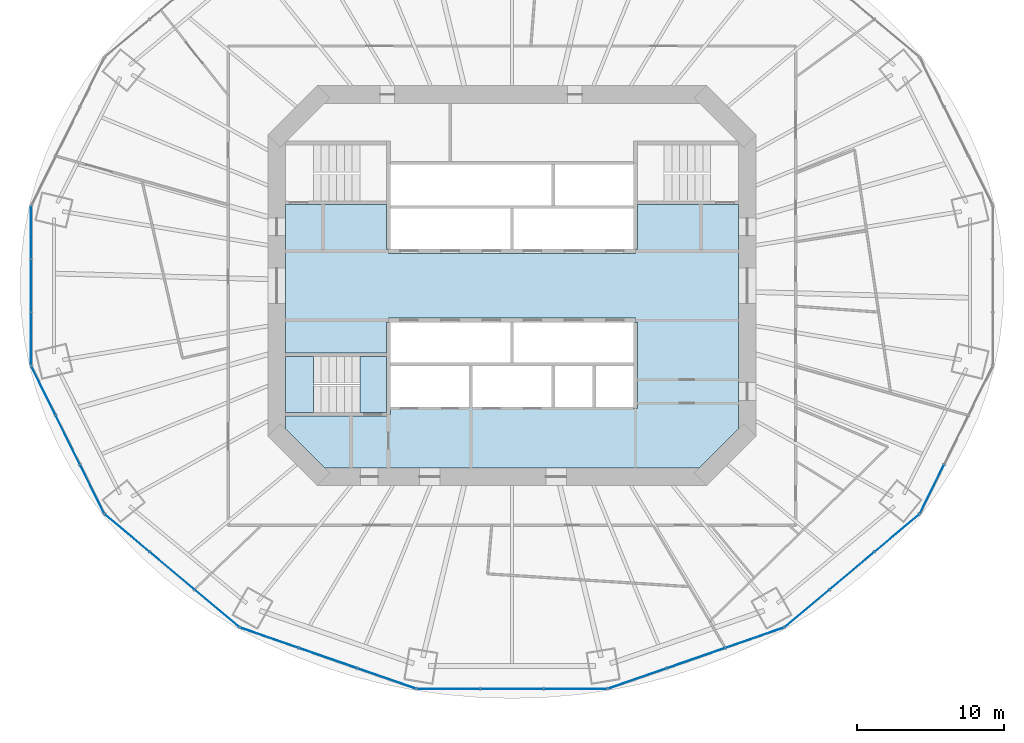
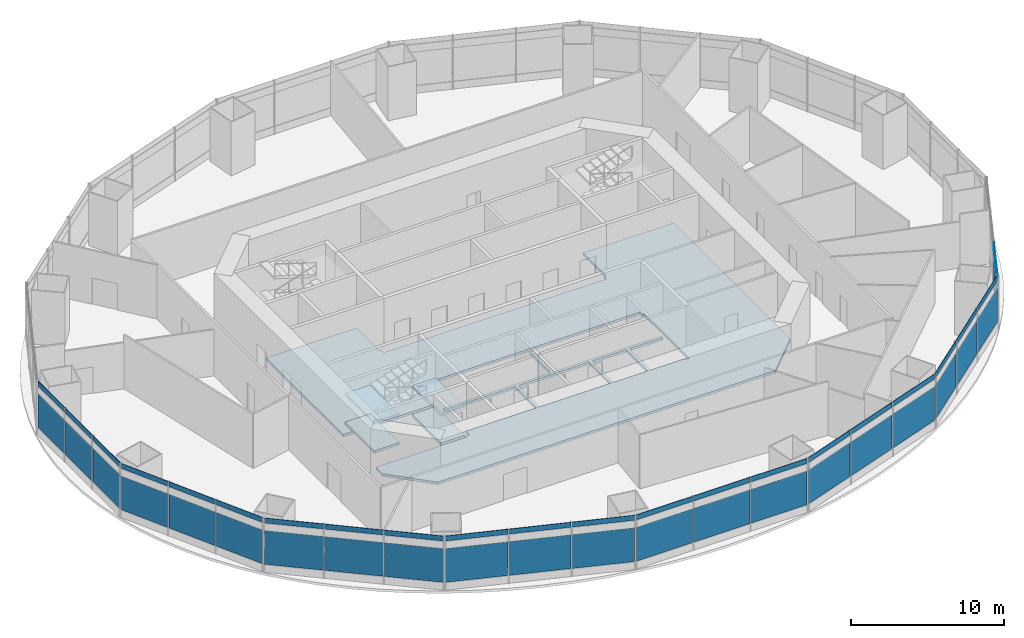
# One storey, part 11 of 17: 44 plates, 5 slabs, 17 elements without a shape of their own.
"""IFC4 building model written with IfcOpenShell, lengths in metres."""

from ifc_helpers import new_model, si_unit, direction, frame, origin, origin_2d, place, context, subcontext, project, spatial, polyline, rectangle, outline, extrude, material, layer, layer_set, type_object, element, aggregate, save


model = new_model("IFC4")

# Units and contexts
model_context = context("Model", 3, precision=1e-05, world=origin(), true_north=direction((0.0, 1.0)))
body_context = subcontext(model_context, "Body", "Model", "MODEL_VIEW")
ifc_project = project(units=[si_unit("LENGTHUNIT", "METRE"), si_unit("AREAUNIT", "SQUARE_METRE"), si_unit("VOLUMEUNIT", "CUBIC_METRE"), si_unit("PLANEANGLEUNIT", "RADIAN"), si_unit("MASSUNIT", "GRAM", prefix="KILO")], contexts=[model_context])

# Site, building, storey
site_placement = place(None, origin())
site = spatial("IfcSite", under=ifc_project, at=site_placement, CompositionType="ELEMENT")
building_placement = place(site_placement, origin())
building = spatial("IfcBuilding", under=site, at=building_placement, Name="Marenthal Gate Tower", CompositionType="ELEMENT")
storey_placement = place(building_placement, frame((0.0, 0.0, 145.050048828125)))
storey = spatial("IfcBuildingStorey", under=building, at=storey_placement, Name="L31", CompositionType="ELEMENT", Elevation=145.050048828125)

# Slabs
ifc_material_1 = material(Name="Concrete 50 MPa", Category="concrete")
ifc_layer_1 = layer(ifc_material_1, 0.199951171875)
ifc_layer_set_1 = layer_set([ifc_layer_1], Name="Core floor slab 200")
slab_type_1 = type_object("IfcSlabType", Name="Core floor slab 200", PredefinedType="FLOOR", material=ifc_layer_set_1)
slab_1_placement = place(storey_placement, frame((0.0, 0.0, -0.199951171875)))
element("IfcSlab", 1, at=slab_1_placement, inside=storey, type_object=slab_type_1, Name="Core floor L31", PredefinedType="FLOOR", context=body_context, shape_type="SweptSolid", body=[
    extrude(outline(polyline([(15.39990234375, -9.75146484375), (12.75146484375, -12.39990234375), (-12.75146484375, -12.39990234375), (-15.39990234375, -9.75146484375), (-15.39990234375, -8.875), (-8.550048828125, -8.875), (-8.550048828125, -8.75), (-8.25, -8.75), (-8.25, -8.239990234375), (-5.60009765625, -8.239990234375), (-2.909912109375, -8.239990234375), (-2.909912109375, -5.4599609375), (-5.60009765625, -5.4599609375), (-8.25, -5.4599609375), (-8.25, -5.239990234375), (-5.60009765625, -5.239990234375), (-2.800048828125, -5.239990234375), (-0.110107421875, -5.239990234375), (-0.110107421875, -2.5), (0.110107421875, -2.5), (0.110107421875, -5.239990234375), (2.800048828125, -5.239990234375), (5.60009765625, -5.239990234375), (8.25, -5.239990234375), (8.25, -5.4599609375), (5.7099609375, -5.4599609375), (5.7099609375, -8.239990234375), (8.25, -8.239990234375), (8.25, -8.35009765625), (8.550048828125, -8.35009765625), (8.550048828125, -2.5), (8.39990234375, -2.5), (8.39990234375, -2.199951171875), (-8.39990234375, -2.199951171875), (-8.39990234375, -2.5), (-8.550048828125, -2.5), (-8.550048828125, -4.574951171875), (-15.39990234375, -4.574951171875), (-15.39990234375, 5.52490234375), (-8.550048828125, 5.52490234375), (-8.550048828125, 2.5), (-8.39990234375, 2.5), (-8.39990234375, 2.199951171875), (8.39990234375, 2.199951171875), (8.39990234375, 2.5), (8.550048828125, 2.5), (8.550048828125, 5.52490234375), (15.39990234375, 5.52490234375), (15.39990234375, -9.75146484375)]), holes=[polyline([(2.68994140625, -5.4599609375), (0.0, -5.4599609375), (-2.68994140625, -5.4599609375), (-2.68994140625, -8.239990234375), (0.0, -8.239990234375), (2.68994140625, -8.239990234375), (2.68994140625, -5.4599609375)]), polyline([(5.489990234375, -5.4599609375), (2.909912109375, -5.4599609375), (2.909912109375, -8.239990234375), (5.489990234375, -8.239990234375), (5.489990234375, -5.4599609375)])]), origin(), (0.0, 0.0, 1.0), 0.199951171875),
])
slab_2_placement = place(storey_placement, frame((0.0, 0.0, -0.199951171875)))
element("IfcSlab", 2, at=slab_2_placement, inside=storey, type_object=slab_type_1, Name="Core floor L31", PredefinedType="FLOOR", context=body_context, shape_type="SweptSolid", body=[
    extrude(outline(polyline([(-8.550048828125, -8.625), (-10.35009765625, -8.625), (-10.35009765625, -4.824951171875), (-8.550048828125, -4.824951171875), (-8.550048828125, -8.625)])), origin(), (0.0, 0.0, 1.0), 0.199951171875),
])

# Curtain wall, plates
ifc_material_2 = material(Name="Aluminium and glass", Category="aluminium")
curtain_wall_type_1 = type_object("IfcCurtainWallType", Name="Curtain wall amenity", PredefinedType="NOTDEFINED", material=ifc_material_2)
curtain_wall_1_placement = place(storey_placement, origin())
curtain_wall_1 = element("IfcCurtainWall", 3, at=curtain_wall_1_placement, inside=storey, type_object=curtain_wall_type_1, Name="Curtain wall L31 bay 8", PredefinedType="NOTDEFINED")
ifc_material_3 = material(Name="Glass, laminated insulating unit", Category="glass")
ifc_layer_2 = layer(ifc_material_3, 0.031982421875)
ifc_layer_set_2 = layer_set([ifc_layer_2], Name="Glass panel 32 amenity")
plate_type_1 = type_object("IfcPlateType", Name="Glass panel 32 amenity", PredefinedType="CURTAIN_PANEL", material=ifc_layer_set_2)
plate_1_placement = place(storey_placement, frame((-32.701416015625, 3.615966796875, 0.60009765625), z_axis=(0.0, 0.0, 1.0), x_axis=(0.0, -1.0, 0.0)))
plate_1 = element("IfcPlate", 4, at=plate_1_placement, type_object=plate_type_1, Name="Glass panel L31 bay 8.1", PredefinedType="CURTAIN_PANEL", context=body_context, shape_type="SweptSolid", body=[
    extrude(rectangle(XDim=3.55615234375, YDim=0.031982421875, at=origin_2d()), origin(), (0.0, 0.0, 1.0), 2.699951171875),
])
plate_2_placement = place(storey_placement, frame((-32.701416015625, 0.0, 0.60009765625), z_axis=(0.0, 0.0, 1.0), x_axis=(0.0, -1.0, 0.0)))
plate_2 = element("IfcPlate", 5, at=plate_2_placement, type_object=plate_type_1, Name="Glass panel L31 bay 8.2", PredefinedType="CURTAIN_PANEL", context=body_context, shape_type="SweptSolid", body=[
    extrude(rectangle(XDim=3.555908203125, YDim=0.031982421875, at=origin_2d()), origin(), (0.0, 0.0, 1.0), 2.699951171875),
])
plate_3_placement = place(storey_placement, frame((-32.701416015625, -3.615966796875, 0.60009765625), z_axis=(0.0, 0.0, 1.0), x_axis=(0.0, -1.0, 0.0)))
plate_3 = element("IfcPlate", 6, at=plate_3_placement, type_object=plate_type_1, Name="Glass panel L31 bay 8.3", PredefinedType="CURTAIN_PANEL", context=body_context, shape_type="SweptSolid", body=[
    extrude(rectangle(XDim=3.55615234375, YDim=0.031982421875, at=origin_2d()), origin(), (0.0, 0.0, 1.0), 2.699951171875),
])
aggregate(curtain_wall_1, [plate_1, plate_2, plate_3])

curtain_wall_2_placement = place(storey_placement, origin())
curtain_wall_2 = element("IfcCurtainWall", 7, at=curtain_wall_2_placement, inside=storey, type_object=curtain_wall_type_1, Name="Curtain wall L31 bay 9", PredefinedType="NOTDEFINED")
plate_4_placement = place(storey_placement, frame((-31.86279296875, -7.151611328125, 0.60009765625), z_axis=(0.0, 0.0, 1.0), x_axis=(0.442895449987, -0.896573265484, 0.0)))
plate_4 = element("IfcPlate", 8, at=plate_4_placement, type_object=plate_type_1, Name="Glass panel L31 bay 9.1", PredefinedType="CURTAIN_PANEL", context=body_context, shape_type="SweptSolid", body=[
    extrude(rectangle(XDim=3.6669921875, YDim=0.031982421875, at=origin_2d()), origin(), (0.0, 0.0, 1.0), 2.699951171875),
])
plate_5_placement = place(storey_placement, frame((-30.212158203125, -10.4931640625, 0.60009765625), z_axis=(0.0, 0.0, 1.0), x_axis=(0.442895449987, -0.896573265484, 0.0)))
plate_5 = element("IfcPlate", 9, at=plate_5_placement, type_object=plate_type_1, Name="Glass panel L31 bay 9.2", PredefinedType="CURTAIN_PANEL", context=body_context, shape_type="SweptSolid", body=[
    extrude(rectangle(XDim=3.666748046875, YDim=0.031982421875, at=origin_2d()), origin(), (0.0, 0.0, 1.0), 2.699951171875),
])
plate_6_placement = place(storey_placement, frame((-28.5615234375, -13.83447265625, 0.60009765625), z_axis=(0.0, 0.0, 1.0), x_axis=(0.442895449987, -0.896573265484, 0.0)))
plate_6 = element("IfcPlate", 10, at=plate_6_placement, type_object=plate_type_1, Name="Glass panel L31 bay 9.3", PredefinedType="CURTAIN_PANEL", context=body_context, shape_type="SweptSolid", body=[
    extrude(rectangle(XDim=3.6669921875, YDim=0.031982421875, at=origin_2d()), origin(), (0.0, 0.0, 1.0), 2.699951171875),
])
aggregate(curtain_wall_2, [plate_4, plate_5, plate_6])

curtain_wall_3_placement = place(storey_placement, origin())
curtain_wall_3 = element("IfcCurtainWall", 11, at=curtain_wall_3_placement, inside=storey, type_object=curtain_wall_type_1, Name="Curtain wall L31 bay 10", PredefinedType="NOTDEFINED")
plate_7_placement = place(storey_placement, frame((-26.17431640625, -16.83056640625, 0.60009765625), z_axis=(0.0, 0.0, 1.0), x_axis=(0.766276606305, -0.642510826857, 0.0)))
plate_7 = element("IfcPlate", 12, at=plate_7_placement, type_object=plate_type_1, Name="Glass panel L31 bay 10.1", PredefinedType="CURTAIN_PANEL", context=body_context, shape_type="SweptSolid", body=[
    extrude(rectangle(XDim=3.921630859375, YDim=0.031982421875, at=origin_2d()), origin(), (0.0, 0.0, 1.0), 2.699951171875),
])
plate_8_placement = place(storey_placement, frame((-23.123291015625, -19.388671875, 0.60009765625), z_axis=(0.0, 0.0, 1.0), x_axis=(0.766276606305, -0.642510826857, 0.0)))
plate_8 = element("IfcPlate", 13, at=plate_8_placement, type_object=plate_type_1, Name="Glass panel L31 bay 10.2", PredefinedType="CURTAIN_PANEL", context=body_context, shape_type="SweptSolid", body=[
    extrude(rectangle(XDim=3.921630859375, YDim=0.031982421875, at=origin_2d()), origin(), (0.0, 0.0, 1.0), 2.699951171875),
])
plate_9_placement = place(storey_placement, frame((-20.072265625, -21.947021484375, 0.60009765625), z_axis=(0.0, 0.0, 1.0), x_axis=(0.766276606305, -0.642510826857, 0.0)))
plate_9 = element("IfcPlate", 14, at=plate_9_placement, type_object=plate_type_1, Name="Glass panel L31 bay 10.3", PredefinedType="CURTAIN_PANEL", context=body_context, shape_type="SweptSolid", body=[
    extrude(rectangle(XDim=3.921630859375, YDim=0.031982421875, at=origin_2d()), origin(), (0.0, 0.0, 1.0), 2.699951171875),
])
aggregate(curtain_wall_3, [plate_7, plate_8, plate_9])

curtain_wall_4_placement = place(storey_placement, origin())
curtain_wall_4 = element("IfcCurtainWall", 15, at=curtain_wall_4_placement, inside=storey, type_object=curtain_wall_type_1, Name="Curtain wall L31 bay 11", PredefinedType="NOTDEFINED")
plate_10_placement = place(storey_placement, frame((-16.501708984375, -23.94775390625, 0.60009765625), z_axis=(0.0, 0.0, 1.0), x_axis=(0.944646837951, -0.328088938475, 0.0)))
plate_10 = element("IfcPlate", 16, at=plate_10_placement, type_object=plate_type_1, Name="Glass panel L31 bay 11.1", PredefinedType="CURTAIN_PANEL", context=body_context, shape_type="SweptSolid", body=[
    extrude(rectangle(XDim=4.1611328125, YDim=0.031982421875, at=origin_2d()), origin(), (0.0, 0.0, 1.0), 2.699951171875),
])
plate_11_placement = place(storey_placement, frame((-12.51416015625, -25.33251953125, 0.60009765625), z_axis=(0.0, 0.0, 1.0), x_axis=(0.944646837951, -0.328088938475, 0.0)))
plate_11 = element("IfcPlate", 17, at=plate_11_placement, type_object=plate_type_1, Name="Glass panel L31 bay 11.2", PredefinedType="CURTAIN_PANEL", context=body_context, shape_type="SweptSolid", body=[
    extrude(rectangle(XDim=4.1611328125, YDim=0.031982421875, at=origin_2d()), origin(), (0.0, 0.0, 1.0), 2.699951171875),
])
plate_12_placement = place(storey_placement, frame((-8.52685546875, -26.717529296875, 0.60009765625), z_axis=(0.0, 0.0, 1.0), x_axis=(0.944646837951, -0.328088938475, 0.0)))
plate_12 = element("IfcPlate", 18, at=plate_12_placement, type_object=plate_type_1, Name="Glass panel L31 bay 11.3", PredefinedType="CURTAIN_PANEL", context=body_context, shape_type="SweptSolid", body=[
    extrude(rectangle(XDim=4.1611328125, YDim=0.031982421875, at=origin_2d()), origin(), (0.0, 0.0, 1.0), 2.699951171875),
])
aggregate(curtain_wall_4, [plate_10, plate_11, plate_12])

curtain_wall_5_placement = place(storey_placement, origin())
curtain_wall_5 = element("IfcCurtainWall", 19, at=curtain_wall_5_placement, inside=storey, type_object=curtain_wall_type_1, Name="Curtain wall L31 bay 12", PredefinedType="NOTDEFINED")
plate_13_placement = place(storey_placement, frame((-4.31640625, -27.419921875, 0.60009765625), z_axis=(0.0, 0.0, 1.0), x_axis=(1.0, 0.0, 0.0)))
plate_13 = element("IfcPlate", 20, at=plate_13_placement, type_object=plate_type_1, Name="Glass panel L31 bay 12.1", PredefinedType="CURTAIN_PANEL", context=body_context, shape_type="SweptSolid", body=[
    extrude(rectangle(XDim=4.256591796875, YDim=0.031982421875, at=origin_2d()), origin(), (0.0, 0.0, 1.0), 2.699951171875),
])
plate_14_placement = place(storey_placement, frame((0.0, -27.419921875, 0.60009765625), z_axis=(0.0, 0.0, 1.0), x_axis=(1.0, 0.0, 0.0)))
plate_14 = element("IfcPlate", 21, at=plate_14_placement, type_object=plate_type_1, Name="Glass panel L31 bay 12.2", PredefinedType="CURTAIN_PANEL", context=body_context, shape_type="SweptSolid", body=[
    extrude(rectangle(XDim=4.25634765625, YDim=0.031982421875, at=origin_2d()), origin(), (0.0, 0.0, 1.0), 2.699951171875),
])
plate_15_placement = place(storey_placement, frame((4.31640625, -27.419921875, 0.60009765625), z_axis=(0.0, 0.0, 1.0), x_axis=(1.0, 0.0, 0.0)))
plate_15 = element("IfcPlate", 22, at=plate_15_placement, type_object=plate_type_1, Name="Glass panel L31 bay 12.3", PredefinedType="CURTAIN_PANEL", context=body_context, shape_type="SweptSolid", body=[
    extrude(rectangle(XDim=4.256591796875, YDim=0.031982421875, at=origin_2d()), origin(), (0.0, 0.0, 1.0), 2.699951171875),
])
aggregate(curtain_wall_5, [plate_13, plate_14, plate_15])

curtain_wall_6_placement = place(storey_placement, origin())
curtain_wall_6 = element("IfcCurtainWall", 23, at=curtain_wall_6_placement, inside=storey, type_object=curtain_wall_type_1, Name="Curtain wall L31 bay 13", PredefinedType="NOTDEFINED")
plate_16_placement = place(storey_placement, frame((8.52685546875, -26.717529296875, 0.60009765625), z_axis=(0.0, 0.0, 1.0), x_axis=(0.944646837951, 0.328088938475, 0.0)))
plate_16 = element("IfcPlate", 24, at=plate_16_placement, type_object=plate_type_1, Name="Glass panel L31 bay 13.1", PredefinedType="CURTAIN_PANEL", context=body_context, shape_type="SweptSolid", body=[
    extrude(rectangle(XDim=4.1611328125, YDim=0.031982421875, at=origin_2d()), origin(), (0.0, 0.0, 1.0), 2.699951171875),
])
plate_17_placement = place(storey_placement, frame((12.51416015625, -25.33251953125, 0.60009765625), z_axis=(0.0, 0.0, 1.0), x_axis=(0.944646837951, 0.328088938475, 0.0)))
plate_17 = element("IfcPlate", 25, at=plate_17_placement, type_object=plate_type_1, Name="Glass panel L31 bay 13.2", PredefinedType="CURTAIN_PANEL", context=body_context, shape_type="SweptSolid", body=[
    extrude(rectangle(XDim=4.1611328125, YDim=0.031982421875, at=origin_2d()), origin(), (0.0, 0.0, 1.0), 2.699951171875),
])
plate_18_placement = place(storey_placement, frame((16.501708984375, -23.94775390625, 0.60009765625), z_axis=(0.0, 0.0, 1.0), x_axis=(0.944646837951, 0.328088938475, 0.0)))
plate_18 = element("IfcPlate", 26, at=plate_18_placement, type_object=plate_type_1, Name="Glass panel L31 bay 13.3", PredefinedType="CURTAIN_PANEL", context=body_context, shape_type="SweptSolid", body=[
    extrude(rectangle(XDim=4.1611328125, YDim=0.031982421875, at=origin_2d()), origin(), (0.0, 0.0, 1.0), 2.699951171875),
])
aggregate(curtain_wall_6, [plate_16, plate_17, plate_18])

curtain_wall_7_placement = place(storey_placement, origin())
curtain_wall_7 = element("IfcCurtainWall", 27, at=curtain_wall_7_placement, inside=storey, type_object=curtain_wall_type_1, Name="Curtain wall L31 bay 14", PredefinedType="NOTDEFINED")
plate_19_placement = place(storey_placement, frame((20.072265625, -21.947021484375, 0.60009765625), z_axis=(0.0, 0.0, 1.0), x_axis=(0.766276606305, 0.642510826857, 0.0)))
plate_19 = element("IfcPlate", 28, at=plate_19_placement, type_object=plate_type_1, Name="Glass panel L31 bay 14.1", PredefinedType="CURTAIN_PANEL", context=body_context, shape_type="SweptSolid", body=[
    extrude(rectangle(XDim=3.921630859375, YDim=0.031982421875, at=origin_2d()), origin(), (0.0, 0.0, 1.0), 2.699951171875),
])
plate_20_placement = place(storey_placement, frame((23.123291015625, -19.388671875, 0.60009765625), z_axis=(0.0, 0.0, 1.0), x_axis=(0.766276606305, 0.642510826857, 0.0)))
plate_20 = element("IfcPlate", 29, at=plate_20_placement, type_object=plate_type_1, Name="Glass panel L31 bay 14.2", PredefinedType="CURTAIN_PANEL", context=body_context, shape_type="SweptSolid", body=[
    extrude(rectangle(XDim=3.921630859375, YDim=0.031982421875, at=origin_2d()), origin(), (0.0, 0.0, 1.0), 2.699951171875),
])
plate_21_placement = place(storey_placement, frame((26.17431640625, -16.83056640625, 0.60009765625), z_axis=(0.0, 0.0, 1.0), x_axis=(0.766276606305, 0.642510826857, 0.0)))
plate_21 = element("IfcPlate", 30, at=plate_21_placement, type_object=plate_type_1, Name="Glass panel L31 bay 14.3", PredefinedType="CURTAIN_PANEL", context=body_context, shape_type="SweptSolid", body=[
    extrude(rectangle(XDim=3.921630859375, YDim=0.031982421875, at=origin_2d()), origin(), (0.0, 0.0, 1.0), 2.699951171875),
])
aggregate(curtain_wall_7, [plate_19, plate_20, plate_21])

# Curtain wall, plate
curtain_wall_8_placement = place(storey_placement, origin())
curtain_wall_8 = element("IfcCurtainWall", 31, at=curtain_wall_8_placement, inside=storey, type_object=curtain_wall_type_1, Name="Curtain wall L31 bay 15", PredefinedType="NOTDEFINED")
plate_22_placement = place(storey_placement, frame((28.5615234375, -13.83447265625, 0.60009765625), z_axis=(0.0, 0.0, 1.0), x_axis=(0.442895449987, 0.896573265484, 0.0)))
plate_22 = element("IfcPlate", 32, at=plate_22_placement, type_object=plate_type_1, Name="Glass panel L31 bay 15.1", PredefinedType="CURTAIN_PANEL", context=body_context, shape_type="SweptSolid", body=[
    extrude(rectangle(XDim=3.6669921875, YDim=0.031982421875, at=origin_2d()), origin(), (0.0, 0.0, 1.0), 2.699951171875),
])
aggregate(curtain_wall_8, [plate_22])

# Stair, slabs
ifc_material_4 = material(Name="Concrete 40 MPa", Category="concrete")
stair_type = type_object("IfcStairType", Name="Exit stair 1800", PredefinedType="HALF_TURN_STAIR", material=ifc_material_4)
stair_placement = place(storey_placement, origin())
stair = element("IfcStair", 33, at=stair_placement, inside=storey, type_object=stair_type, Name="Stair ST2", PredefinedType="HALF_TURN_STAIR")
ifc_material_5 = material(Name="Concrete 40 MPa", Category="concrete")
ifc_layer_3 = layer(ifc_material_5, 0.199951171875)
ifc_layer_set_3 = layer_set([ifc_layer_3], Name="Stair landing 200")
slab_type_2 = type_object("IfcSlabType", Name="Stair landing 200", PredefinedType="LANDING", material=ifc_layer_set_3)
slab_3_placement = place(storey_placement, frame((0.0, 0.0, 0.949951171875)))
slab_3 = element("IfcSlab", 34, at=slab_3_placement, type_object=slab_type_2, Name="ST2 landing 1", PredefinedType="LANDING", context=body_context, shape_type="SweptSolid", body=[
    extrude(outline(polyline([(-15.39990234375, -8.625), (-13.5, -8.625), (-13.5, -4.824951171875), (-15.39990234375, -4.824951171875), (-15.39990234375, -8.625)])), origin(), (0.0, 0.0, 1.0), 0.199951171875),
])
slab_4_placement = place(storey_placement, frame((0.0, 0.0, 2.099853515625)))
slab_4 = element("IfcSlab", 35, at=slab_4_placement, type_object=slab_type_2, Name="ST2 landing 2", PredefinedType="LANDING", context=body_context, shape_type="SweptSolid", body=[
    extrude(outline(polyline([(-10.35009765625, -8.625), (-8.550048828125, -8.625), (-8.550048828125, -4.824951171875), (-10.35009765625, -4.824951171875), (-10.35009765625, -8.625)])), origin(), (0.0, 0.0, 1.0), 0.2001953125),
])
slab_5_placement = place(storey_placement, frame((0.0, 0.0, 3.25)))
slab_5 = element("IfcSlab", 36, at=slab_5_placement, type_object=slab_type_2, Name="ST2 landing 3", PredefinedType="LANDING", context=body_context, shape_type="SweptSolid", body=[
    extrude(outline(polyline([(-15.39990234375, -8.625), (-13.5, -8.625), (-13.5, -4.824951171875), (-15.39990234375, -4.824951171875), (-15.39990234375, -8.625)])), origin(), (0.0, 0.0, 1.0), 0.199951171875),
])
aggregate(stair, [slab_3, slab_4, slab_5])

# Curtain wall, plates
ifc_material_6 = material(Name="Aluminium and glass", Category="aluminium")
curtain_wall_type_2 = type_object("IfcCurtainWallType", Name="Curtain wall crown clad", PredefinedType="NOTDEFINED", material=ifc_material_6)
curtain_wall_9_placement = place(storey_placement, origin())
curtain_wall_9 = element("IfcCurtainWall", 37, at=curtain_wall_9_placement, inside=storey, type_object=curtain_wall_type_2, Name="Curtain wall L31 bay 8 head band", PredefinedType="NOTDEFINED")
ifc_material_7 = material(Name="Terracotta cladding panel", Category="masonry")
ifc_layer_4 = layer(ifc_material_7, 0.031982421875)
ifc_layer_set_4 = layer_set([ifc_layer_4], Name="Terracotta panel 32 crown clad")
plate_type_2 = type_object("IfcPlateType", Name="Terracotta panel 32 crown clad", PredefinedType="CURTAIN_PANEL", material=ifc_layer_set_4)
plate_23_placement = place(storey_placement, frame((-32.701416015625, 3.615966796875, 3.89990234375), z_axis=(0.0, 0.0, 1.0), x_axis=(0.0, -1.0, 0.0)))
plate_23 = element("IfcPlate", 38, at=plate_23_placement, type_object=plate_type_2, Name="Terracotta panel L31 bay 8.1 head band", PredefinedType="CURTAIN_PANEL", context=body_context, shape_type="SweptSolid", body=[
    extrude(rectangle(XDim=3.55615234375, YDim=0.031982421875, at=origin_2d()), origin(), (0.0, 0.0, 1.0), 0.39990234375),
])
plate_24_placement = place(storey_placement, frame((-32.701416015625, 0.0, 3.89990234375), z_axis=(0.0, 0.0, 1.0), x_axis=(0.0, -1.0, 0.0)))
plate_24 = element("IfcPlate", 39, at=plate_24_placement, type_object=plate_type_2, Name="Terracotta panel L31 bay 8.2 head band", PredefinedType="CURTAIN_PANEL", context=body_context, shape_type="SweptSolid", body=[
    extrude(rectangle(XDim=3.555908203125, YDim=0.031982421875, at=origin_2d()), origin(), (0.0, 0.0, 1.0), 0.39990234375),
])
plate_25_placement = place(storey_placement, frame((-32.701416015625, -3.615966796875, 3.89990234375), z_axis=(0.0, 0.0, 1.0), x_axis=(0.0, -1.0, 0.0)))
plate_25 = element("IfcPlate", 40, at=plate_25_placement, type_object=plate_type_2, Name="Terracotta panel L31 bay 8.3 head band", PredefinedType="CURTAIN_PANEL", context=body_context, shape_type="SweptSolid", body=[
    extrude(rectangle(XDim=3.55615234375, YDim=0.031982421875, at=origin_2d()), origin(), (0.0, 0.0, 1.0), 0.39990234375),
])
aggregate(curtain_wall_9, [plate_23, plate_24, plate_25])

curtain_wall_10_placement = place(storey_placement, origin())
curtain_wall_10 = element("IfcCurtainWall", 41, at=curtain_wall_10_placement, inside=storey, type_object=curtain_wall_type_2, Name="Curtain wall L31 bay 9 head band", PredefinedType="NOTDEFINED")
plate_26_placement = place(storey_placement, frame((-31.86279296875, -7.151611328125, 3.89990234375), z_axis=(0.0, 0.0, 1.0), x_axis=(0.442895449987, -0.896573265484, 0.0)))
plate_26 = element("IfcPlate", 42, at=plate_26_placement, type_object=plate_type_2, Name="Terracotta panel L31 bay 9.1 head band", PredefinedType="CURTAIN_PANEL", context=body_context, shape_type="SweptSolid", body=[
    extrude(rectangle(XDim=3.6669921875, YDim=0.031982421875, at=origin_2d()), origin(), (0.0, 0.0, 1.0), 0.39990234375),
])
plate_27_placement = place(storey_placement, frame((-30.212158203125, -10.4931640625, 3.89990234375), z_axis=(0.0, 0.0, 1.0), x_axis=(0.442895449987, -0.896573265484, 0.0)))
plate_27 = element("IfcPlate", 43, at=plate_27_placement, type_object=plate_type_2, Name="Terracotta panel L31 bay 9.2 head band", PredefinedType="CURTAIN_PANEL", context=body_context, shape_type="SweptSolid", body=[
    extrude(rectangle(XDim=3.666748046875, YDim=0.031982421875, at=origin_2d()), origin(), (0.0, 0.0, 1.0), 0.39990234375),
])
plate_28_placement = place(storey_placement, frame((-28.5615234375, -13.83447265625, 3.89990234375), z_axis=(0.0, 0.0, 1.0), x_axis=(0.442895449987, -0.896573265484, 0.0)))
plate_28 = element("IfcPlate", 44, at=plate_28_placement, type_object=plate_type_2, Name="Terracotta panel L31 bay 9.3 head band", PredefinedType="CURTAIN_PANEL", context=body_context, shape_type="SweptSolid", body=[
    extrude(rectangle(XDim=3.6669921875, YDim=0.031982421875, at=origin_2d()), origin(), (0.0, 0.0, 1.0), 0.39990234375),
])
aggregate(curtain_wall_10, [plate_26, plate_27, plate_28])

curtain_wall_11_placement = place(storey_placement, origin())
curtain_wall_11 = element("IfcCurtainWall", 45, at=curtain_wall_11_placement, inside=storey, type_object=curtain_wall_type_2, Name="Curtain wall L31 bay 10 head band", PredefinedType="NOTDEFINED")
plate_29_placement = place(storey_placement, frame((-26.17431640625, -16.83056640625, 3.89990234375), z_axis=(0.0, 0.0, 1.0), x_axis=(0.766276606305, -0.642510826857, 0.0)))
plate_29 = element("IfcPlate", 46, at=plate_29_placement, type_object=plate_type_2, Name="Terracotta panel L31 bay 10.1 head band", PredefinedType="CURTAIN_PANEL", context=body_context, shape_type="SweptSolid", body=[
    extrude(rectangle(XDim=3.921630859375, YDim=0.031982421875, at=origin_2d()), origin(), (0.0, 0.0, 1.0), 0.39990234375),
])
plate_30_placement = place(storey_placement, frame((-23.123291015625, -19.388671875, 3.89990234375), z_axis=(0.0, 0.0, 1.0), x_axis=(0.766276606305, -0.642510826857, 0.0)))
plate_30 = element("IfcPlate", 47, at=plate_30_placement, type_object=plate_type_2, Name="Terracotta panel L31 bay 10.2 head band", PredefinedType="CURTAIN_PANEL", context=body_context, shape_type="SweptSolid", body=[
    extrude(rectangle(XDim=3.921630859375, YDim=0.031982421875, at=origin_2d()), origin(), (0.0, 0.0, 1.0), 0.39990234375),
])
plate_31_placement = place(storey_placement, frame((-20.072265625, -21.947021484375, 3.89990234375), z_axis=(0.0, 0.0, 1.0), x_axis=(0.766276606305, -0.642510826857, 0.0)))
plate_31 = element("IfcPlate", 48, at=plate_31_placement, type_object=plate_type_2, Name="Terracotta panel L31 bay 10.3 head band", PredefinedType="CURTAIN_PANEL", context=body_context, shape_type="SweptSolid", body=[
    extrude(rectangle(XDim=3.921630859375, YDim=0.031982421875, at=origin_2d()), origin(), (0.0, 0.0, 1.0), 0.39990234375),
])
aggregate(curtain_wall_11, [plate_29, plate_30, plate_31])

curtain_wall_12_placement = place(storey_placement, origin())
curtain_wall_12 = element("IfcCurtainWall", 49, at=curtain_wall_12_placement, inside=storey, type_object=curtain_wall_type_2, Name="Curtain wall L31 bay 11 head band", PredefinedType="NOTDEFINED")
plate_32_placement = place(storey_placement, frame((-16.501708984375, -23.94775390625, 3.89990234375), z_axis=(0.0, 0.0, 1.0), x_axis=(0.944646837951, -0.328088938475, 0.0)))
plate_32 = element("IfcPlate", 50, at=plate_32_placement, type_object=plate_type_2, Name="Terracotta panel L31 bay 11.1 head band", PredefinedType="CURTAIN_PANEL", context=body_context, shape_type="SweptSolid", body=[
    extrude(rectangle(XDim=4.1611328125, YDim=0.031982421875, at=origin_2d()), origin(), (0.0, 0.0, 1.0), 0.39990234375),
])
plate_33_placement = place(storey_placement, frame((-12.51416015625, -25.33251953125, 3.89990234375), z_axis=(0.0, 0.0, 1.0), x_axis=(0.944646837951, -0.328088938475, 0.0)))
plate_33 = element("IfcPlate", 51, at=plate_33_placement, type_object=plate_type_2, Name="Terracotta panel L31 bay 11.2 head band", PredefinedType="CURTAIN_PANEL", context=body_context, shape_type="SweptSolid", body=[
    extrude(rectangle(XDim=4.1611328125, YDim=0.031982421875, at=origin_2d()), origin(), (0.0, 0.0, 1.0), 0.39990234375),
])
plate_34_placement = place(storey_placement, frame((-8.52685546875, -26.717529296875, 3.89990234375), z_axis=(0.0, 0.0, 1.0), x_axis=(0.944646837951, -0.328088938475, 0.0)))
plate_34 = element("IfcPlate", 52, at=plate_34_placement, type_object=plate_type_2, Name="Terracotta panel L31 bay 11.3 head band", PredefinedType="CURTAIN_PANEL", context=body_context, shape_type="SweptSolid", body=[
    extrude(rectangle(XDim=4.1611328125, YDim=0.031982421875, at=origin_2d()), origin(), (0.0, 0.0, 1.0), 0.39990234375),
])
aggregate(curtain_wall_12, [plate_32, plate_33, plate_34])

curtain_wall_13_placement = place(storey_placement, origin())
curtain_wall_13 = element("IfcCurtainWall", 53, at=curtain_wall_13_placement, inside=storey, type_object=curtain_wall_type_2, Name="Curtain wall L31 bay 12 head band", PredefinedType="NOTDEFINED")
plate_35_placement = place(storey_placement, frame((-4.31640625, -27.419921875, 3.89990234375), z_axis=(0.0, 0.0, 1.0), x_axis=(1.0, 0.0, 0.0)))
plate_35 = element("IfcPlate", 54, at=plate_35_placement, type_object=plate_type_2, Name="Terracotta panel L31 bay 12.1 head band", PredefinedType="CURTAIN_PANEL", context=body_context, shape_type="SweptSolid", body=[
    extrude(rectangle(XDim=4.256591796875, YDim=0.031982421875, at=origin_2d()), origin(), (0.0, 0.0, 1.0), 0.39990234375),
])
plate_36_placement = place(storey_placement, frame((0.0, -27.419921875, 3.89990234375), z_axis=(0.0, 0.0, 1.0), x_axis=(1.0, 0.0, 0.0)))
plate_36 = element("IfcPlate", 55, at=plate_36_placement, type_object=plate_type_2, Name="Terracotta panel L31 bay 12.2 head band", PredefinedType="CURTAIN_PANEL", context=body_context, shape_type="SweptSolid", body=[
    extrude(rectangle(XDim=4.25634765625, YDim=0.031982421875, at=origin_2d()), origin(), (0.0, 0.0, 1.0), 0.39990234375),
])
plate_37_placement = place(storey_placement, frame((4.31640625, -27.419921875, 3.89990234375), z_axis=(0.0, 0.0, 1.0), x_axis=(1.0, 0.0, 0.0)))
plate_37 = element("IfcPlate", 56, at=plate_37_placement, type_object=plate_type_2, Name="Terracotta panel L31 bay 12.3 head band", PredefinedType="CURTAIN_PANEL", context=body_context, shape_type="SweptSolid", body=[
    extrude(rectangle(XDim=4.256591796875, YDim=0.031982421875, at=origin_2d()), origin(), (0.0, 0.0, 1.0), 0.39990234375),
])
aggregate(curtain_wall_13, [plate_35, plate_36, plate_37])

curtain_wall_14_placement = place(storey_placement, origin())
curtain_wall_14 = element("IfcCurtainWall", 57, at=curtain_wall_14_placement, inside=storey, type_object=curtain_wall_type_2, Name="Curtain wall L31 bay 13 head band", PredefinedType="NOTDEFINED")
plate_38_placement = place(storey_placement, frame((8.52685546875, -26.717529296875, 3.89990234375), z_axis=(0.0, 0.0, 1.0), x_axis=(0.944646837951, 0.328088938475, 0.0)))
plate_38 = element("IfcPlate", 58, at=plate_38_placement, type_object=plate_type_2, Name="Terracotta panel L31 bay 13.1 head band", PredefinedType="CURTAIN_PANEL", context=body_context, shape_type="SweptSolid", body=[
    extrude(rectangle(XDim=4.1611328125, YDim=0.031982421875, at=origin_2d()), origin(), (0.0, 0.0, 1.0), 0.39990234375),
])
plate_39_placement = place(storey_placement, frame((12.51416015625, -25.33251953125, 3.89990234375), z_axis=(0.0, 0.0, 1.0), x_axis=(0.944646837951, 0.328088938475, 0.0)))
plate_39 = element("IfcPlate", 59, at=plate_39_placement, type_object=plate_type_2, Name="Terracotta panel L31 bay 13.2 head band", PredefinedType="CURTAIN_PANEL", context=body_context, shape_type="SweptSolid", body=[
    extrude(rectangle(XDim=4.1611328125, YDim=0.031982421875, at=origin_2d()), origin(), (0.0, 0.0, 1.0), 0.39990234375),
])
plate_40_placement = place(storey_placement, frame((16.501708984375, -23.94775390625, 3.89990234375), z_axis=(0.0, 0.0, 1.0), x_axis=(0.944646837951, 0.328088938475, 0.0)))
plate_40 = element("IfcPlate", 60, at=plate_40_placement, type_object=plate_type_2, Name="Terracotta panel L31 bay 13.3 head band", PredefinedType="CURTAIN_PANEL", context=body_context, shape_type="SweptSolid", body=[
    extrude(rectangle(XDim=4.1611328125, YDim=0.031982421875, at=origin_2d()), origin(), (0.0, 0.0, 1.0), 0.39990234375),
])
aggregate(curtain_wall_14, [plate_38, plate_39, plate_40])

curtain_wall_15_placement = place(storey_placement, origin())
curtain_wall_15 = element("IfcCurtainWall", 61, at=curtain_wall_15_placement, inside=storey, type_object=curtain_wall_type_2, Name="Curtain wall L31 bay 14 head band", PredefinedType="NOTDEFINED")
plate_41_placement = place(storey_placement, frame((20.072265625, -21.947021484375, 3.89990234375), z_axis=(0.0, 0.0, 1.0), x_axis=(0.766276606305, 0.642510826857, 0.0)))
plate_41 = element("IfcPlate", 62, at=plate_41_placement, type_object=plate_type_2, Name="Terracotta panel L31 bay 14.1 head band", PredefinedType="CURTAIN_PANEL", context=body_context, shape_type="SweptSolid", body=[
    extrude(rectangle(XDim=3.921630859375, YDim=0.031982421875, at=origin_2d()), origin(), (0.0, 0.0, 1.0), 0.39990234375),
])
plate_42_placement = place(storey_placement, frame((23.123291015625, -19.388671875, 3.89990234375), z_axis=(0.0, 0.0, 1.0), x_axis=(0.766276606305, 0.642510826857, 0.0)))
plate_42 = element("IfcPlate", 63, at=plate_42_placement, type_object=plate_type_2, Name="Terracotta panel L31 bay 14.2 head band", PredefinedType="CURTAIN_PANEL", context=body_context, shape_type="SweptSolid", body=[
    extrude(rectangle(XDim=3.921630859375, YDim=0.031982421875, at=origin_2d()), origin(), (0.0, 0.0, 1.0), 0.39990234375),
])
plate_43_placement = place(storey_placement, frame((26.17431640625, -16.83056640625, 3.89990234375), z_axis=(0.0, 0.0, 1.0), x_axis=(0.766276606305, 0.642510826857, 0.0)))
plate_43 = element("IfcPlate", 64, at=plate_43_placement, type_object=plate_type_2, Name="Terracotta panel L31 bay 14.3 head band", PredefinedType="CURTAIN_PANEL", context=body_context, shape_type="SweptSolid", body=[
    extrude(rectangle(XDim=3.921630859375, YDim=0.031982421875, at=origin_2d()), origin(), (0.0, 0.0, 1.0), 0.39990234375),
])
aggregate(curtain_wall_15, [plate_41, plate_42, plate_43])

# Curtain wall, plate
curtain_wall_16_placement = place(storey_placement, origin())
curtain_wall_16 = element("IfcCurtainWall", 65, at=curtain_wall_16_placement, inside=storey, type_object=curtain_wall_type_2, Name="Curtain wall L31 bay 15 head band", PredefinedType="NOTDEFINED")
plate_44_placement = place(storey_placement, frame((28.5615234375, -13.83447265625, 3.89990234375), z_axis=(0.0, 0.0, 1.0), x_axis=(0.442895449987, 0.896573265484, 0.0)))
plate_44 = element("IfcPlate", 66, at=plate_44_placement, type_object=plate_type_2, Name="Terracotta panel L31 bay 15.1 head band", PredefinedType="CURTAIN_PANEL", context=body_context, shape_type="SweptSolid", body=[
    extrude(rectangle(XDim=3.6669921875, YDim=0.031982421875, at=origin_2d()), origin(), (0.0, 0.0, 1.0), 0.39990234375),
])
aggregate(curtain_wall_16, [plate_44])

save(model, "model.ifc")
